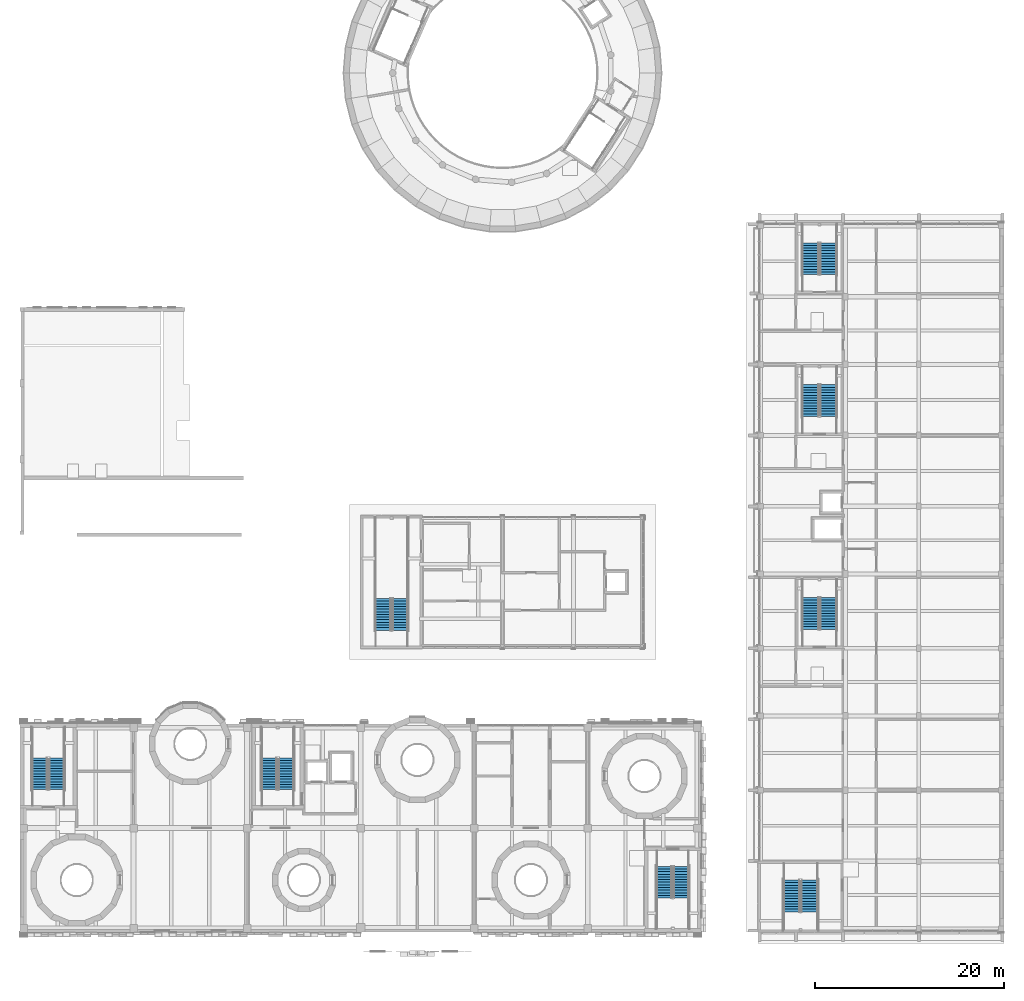
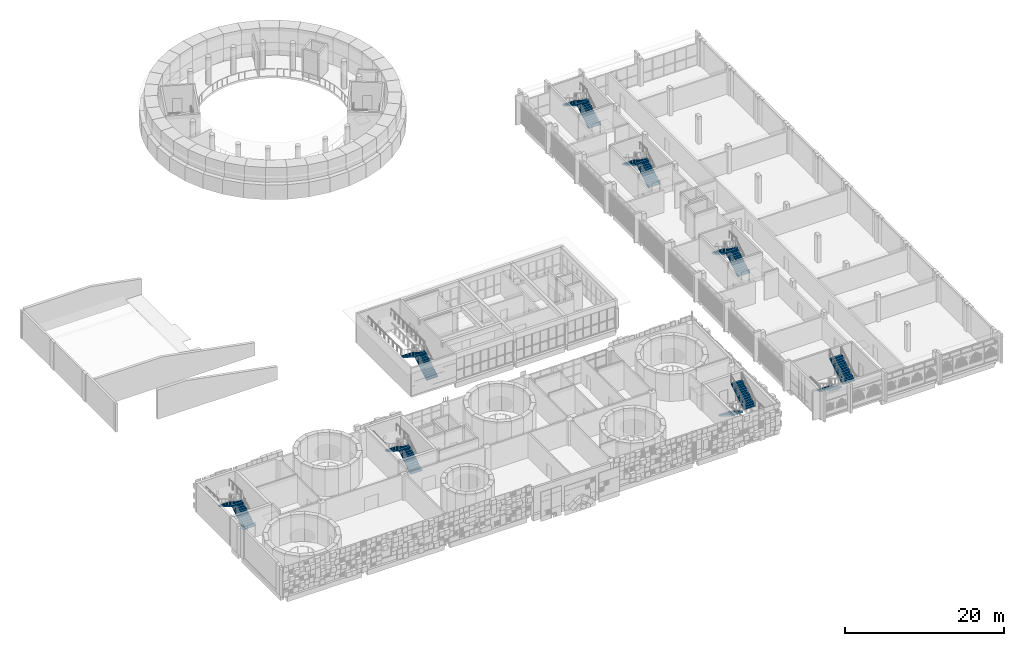
# One storey, part 55 of 92: 16 stair flights, 8 elements without a shape of their own.
"""IFC4 building model written with IfcOpenShell, lengths in metres."""

from ifc_helpers import new_model, si_unit, direction, frame, origin, place, context, subcontext, project, spatial, polyline, outline, extrude, material, type_object, element, aggregate, save


model = new_model("IFC4")

# Units and contexts
model_context = context("Model", 3, precision=1e-05, world=origin(), true_north=direction((0.0, 1.0)))
body_context = subcontext(model_context, "Body", "Model", "MODEL_VIEW")
ifc_project = project(units=[si_unit("LENGTHUNIT", "METRE"), si_unit("AREAUNIT", "SQUARE_METRE"), si_unit("VOLUMEUNIT", "CUBIC_METRE"), si_unit("PLANEANGLEUNIT", "RADIAN"), si_unit("MASSUNIT", "GRAM", prefix="KILO")], contexts=[model_context])

# Site, building, storey
site_placement = place(None, origin())
site = spatial("IfcSite", under=ifc_project, at=site_placement, CompositionType="ELEMENT")
building_placement = place(site_placement, origin())
building = spatial("IfcBuilding", under=site, at=building_placement, Name="Sun Court Science Centre", CompositionType="ELEMENT")
storey_placement = place(building_placement, frame((0.0, 0.0, 11.25)))
storey = spatial("IfcBuildingStorey", under=building, at=storey_placement, Name="L02", CompositionType="ELEMENT", Elevation=11.25)

# Stair, stair flights
ifc_material_1 = material(Name="Concrete C25/30", Category="concrete")
stair_type = type_object("IfcStairType", Name="Stair 1500 enclosed half-turn", PredefinedType="HALF_TURN_STAIR", material=ifc_material_1)
stair_1_placement = place(storey_placement, origin())
stair_1 = element("IfcStair", 1, at=stair_1_placement, inside=storey, type_object=stair_type, Name="L02 Stair SB1", PredefinedType="HALF_TURN_STAIR")
ifc_material_2 = material(Name="Concrete C25/30", Category="concrete")
stair_flight_type = type_object("IfcStairFlightType", Name="Stair flight 1500 with waist", PredefinedType="STRAIGHT", material=ifc_material_2)
stair_flight_1_placement = place(storey_placement, frame((3.89892578125, 21.048095703125, 0.0), z_axis=(0.0, 0.0, 1.0), x_axis=(0.0, 1.0, 0.0)))
stair_flight_1 = element("IfcStairFlight", 2, at=stair_flight_1_placement, type_object=stair_flight_type, Name="SB1 flight 1", NumberOfRisers=13, NumberOfTreads=12, PredefinedType="STRAIGHT", RiserHeight=0.173076923, TreadLength=0.28, context=body_context, shape_type="SweptSolid", body=[
    extrude(outline(polyline([(0.0, 0.0), (0.0, 0.173095703125), (0.280029296875, 0.173095703125), (0.280029296875, 0.34619140625), (0.56005859375, 0.34619140625), (0.56005859375, 0.519287109375), (0.840087890625, 0.519287109375), (0.840087890625, 0.6923828125), (1.1201171875, 0.6923828125), (1.1201171875, 0.865478515625), (1.39990234375, 0.865478515625), (1.39990234375, 1.03857421875), (1.679931640625, 1.03857421875), (1.679931640625, 1.21142578125), (1.9599609375, 1.21142578125), (1.9599609375, 1.384521484375), (2.239990234375, 1.384521484375), (2.239990234375, 1.5576171875), (2.52001953125, 1.5576171875), (2.52001953125, 1.730712890625), (2.800048828125, 1.730712890625), (2.800048828125, 1.90380859375), (3.080078125, 1.90380859375), (3.080078125, 2.076904296875), (3.360107421875, 2.076904296875), (3.360107421875, 2.25), (3.360107421875, 1.900634765625), (0.28515625, 0.0), (0.0, 0.0)])), frame((0.0, 0.823974609375, 0.0), z_axis=(0.0, -1.0, 0.0), x_axis=(1.0, 0.0, 0.0)), (0.0, 0.0, 1.0), 1.64794921875),
])
stair_flight_2_placement = place(storey_placement, frame((2.10107421875, 24.407958984375, 2.25), z_axis=(0.0, 0.0, 1.0), x_axis=(0.0, -1.0, 0.0)))
stair_flight_2 = element("IfcStairFlight", 3, at=stair_flight_2_placement, type_object=stair_flight_type, Name="SB1 flight 2", NumberOfRisers=13, NumberOfTreads=12, PredefinedType="STRAIGHT", RiserHeight=0.173076923, TreadLength=0.28, context=body_context, shape_type="SweptSolid", body=[
    extrude(outline(polyline([(0.0, 0.0), (0.0, 0.173095703125), (0.280029296875, 0.173095703125), (0.280029296875, 0.34619140625), (0.56005859375, 0.34619140625), (0.56005859375, 0.519287109375), (0.840087890625, 0.519287109375), (0.840087890625, 0.6923828125), (1.1201171875, 0.6923828125), (1.1201171875, 0.865478515625), (1.39990234375, 0.865478515625), (1.39990234375, 1.03857421875), (1.679931640625, 1.03857421875), (1.679931640625, 1.21142578125), (1.9599609375, 1.21142578125), (1.9599609375, 1.384521484375), (2.239990234375, 1.384521484375), (2.239990234375, 1.5576171875), (2.52001953125, 1.5576171875), (2.52001953125, 1.730712890625), (2.800048828125, 1.730712890625), (2.800048828125, 1.90380859375), (3.080078125, 1.90380859375), (3.080078125, 2.076904296875), (3.360107421875, 2.076904296875), (3.360107421875, 2.25), (3.360107421875, 1.900634765625), (0.28515625, 0.0), (0.0, 0.0)])), frame((0.0, 0.823974609375, 0.0), z_axis=(0.0, -1.0, 0.0), x_axis=(1.0, 0.0, 0.0)), (0.0, 0.0, 1.0), 1.64794921875),
])
aggregate(stair_1, [stair_flight_1, stair_flight_2])

stair_2_placement = place(storey_placement, origin())
stair_2 = element("IfcStair", 4, at=stair_2_placement, inside=storey, type_object=stair_type, Name="L02 Stair SB2", PredefinedType="HALF_TURN_STAIR")
stair_flight_3_placement = place(storey_placement, frame((28.14892578125, 21.048095703125, 0.0), z_axis=(0.0, 0.0, 1.0), x_axis=(0.0, 1.0, 0.0)))
stair_flight_3 = element("IfcStairFlight", 5, at=stair_flight_3_placement, type_object=stair_flight_type, Name="SB2 flight 1", NumberOfRisers=13, NumberOfTreads=12, PredefinedType="STRAIGHT", RiserHeight=0.173076923, TreadLength=0.28, context=body_context, shape_type="SweptSolid", body=[
    extrude(outline(polyline([(0.0, 0.0), (0.0, 0.173095703125), (0.280029296875, 0.173095703125), (0.280029296875, 0.34619140625), (0.56005859375, 0.34619140625), (0.56005859375, 0.519287109375), (0.840087890625, 0.519287109375), (0.840087890625, 0.6923828125), (1.1201171875, 0.6923828125), (1.1201171875, 0.865478515625), (1.39990234375, 0.865478515625), (1.39990234375, 1.03857421875), (1.679931640625, 1.03857421875), (1.679931640625, 1.21142578125), (1.9599609375, 1.21142578125), (1.9599609375, 1.384521484375), (2.239990234375, 1.384521484375), (2.239990234375, 1.5576171875), (2.52001953125, 1.5576171875), (2.52001953125, 1.730712890625), (2.800048828125, 1.730712890625), (2.800048828125, 1.90380859375), (3.080078125, 1.90380859375), (3.080078125, 2.076904296875), (3.360107421875, 2.076904296875), (3.360107421875, 2.25), (3.360107421875, 1.900634765625), (0.28515625, 0.0), (0.0, 0.0)])), frame((0.0, 0.823974609375, 0.0), z_axis=(0.0, -1.0, 0.0), x_axis=(1.0, 0.0, 0.0)), (0.0, 0.0, 1.0), 1.64794921875),
])
stair_flight_4_placement = place(storey_placement, frame((26.35107421875, 24.407958984375, 2.25), z_axis=(0.0, 0.0, 1.0), x_axis=(0.0, -1.0, 0.0)))
stair_flight_4 = element("IfcStairFlight", 6, at=stair_flight_4_placement, type_object=stair_flight_type, Name="SB2 flight 2", NumberOfRisers=13, NumberOfTreads=12, PredefinedType="STRAIGHT", RiserHeight=0.173076923, TreadLength=0.28, context=body_context, shape_type="SweptSolid", body=[
    extrude(outline(polyline([(0.0, 0.0), (0.0, 0.173095703125), (0.280029296875, 0.173095703125), (0.280029296875, 0.34619140625), (0.56005859375, 0.34619140625), (0.56005859375, 0.519287109375), (0.840087890625, 0.519287109375), (0.840087890625, 0.6923828125), (1.1201171875, 0.6923828125), (1.1201171875, 0.865478515625), (1.39990234375, 0.865478515625), (1.39990234375, 1.03857421875), (1.679931640625, 1.03857421875), (1.679931640625, 1.21142578125), (1.9599609375, 1.21142578125), (1.9599609375, 1.384521484375), (2.239990234375, 1.384521484375), (2.239990234375, 1.5576171875), (2.52001953125, 1.5576171875), (2.52001953125, 1.730712890625), (2.800048828125, 1.730712890625), (2.800048828125, 1.90380859375), (3.080078125, 1.90380859375), (3.080078125, 2.076904296875), (3.360107421875, 2.076904296875), (3.360107421875, 2.25), (3.360107421875, 1.900634765625), (0.28515625, 0.0), (0.0, 0.0)])), frame((0.0, 0.823974609375, 0.0), z_axis=(0.0, -1.0, 0.0), x_axis=(1.0, 0.0, 0.0)), (0.0, 0.0, 1.0), 1.64794921875),
])
aggregate(stair_2, [stair_flight_3, stair_flight_4])

stair_3_placement = place(storey_placement, origin())
stair_3 = element("IfcStair", 7, at=stair_3_placement, inside=storey, type_object=stair_type, Name="L02 Stair SB3", PredefinedType="HALF_TURN_STAIR")
stair_flight_5_placement = place(storey_placement, frame((68.10107421875, 12.951904296875, 0.0), z_axis=(0.0, 0.0, 1.0), x_axis=(0.0, -1.0, 0.0)))
stair_flight_5 = element("IfcStairFlight", 8, at=stair_flight_5_placement, type_object=stair_flight_type, Name="SB3 flight 1", NumberOfRisers=13, NumberOfTreads=12, PredefinedType="STRAIGHT", RiserHeight=0.173076923, TreadLength=0.28, context=body_context, shape_type="SweptSolid", body=[
    extrude(outline(polyline([(0.0, 0.0), (0.0, 0.173095703125), (0.280029296875, 0.173095703125), (0.280029296875, 0.34619140625), (0.56005859375, 0.34619140625), (0.56005859375, 0.519287109375), (0.840087890625, 0.519287109375), (0.840087890625, 0.6923828125), (1.1201171875, 0.6923828125), (1.1201171875, 0.865478515625), (1.39990234375, 0.865478515625), (1.39990234375, 1.03857421875), (1.679931640625, 1.03857421875), (1.679931640625, 1.21142578125), (1.9599609375, 1.21142578125), (1.9599609375, 1.384521484375), (2.239990234375, 1.384521484375), (2.239990234375, 1.5576171875), (2.52001953125, 1.5576171875), (2.52001953125, 1.730712890625), (2.800048828125, 1.730712890625), (2.800048828125, 1.90380859375), (3.080078125, 1.90380859375), (3.080078125, 2.076904296875), (3.360107421875, 2.076904296875), (3.360107421875, 2.25), (3.360107421875, 1.900634765625), (0.28515625, 0.0), (0.0, 0.0)])), frame((0.0, 0.823974609375, 0.0), z_axis=(0.0, -1.0, 0.0), x_axis=(1.0, 0.0, 0.0)), (0.0, 0.0, 1.0), 1.64794921875),
])
stair_flight_6_placement = place(storey_placement, frame((69.89892578125, 9.592041015625, 2.25), z_axis=(0.0, 0.0, 1.0), x_axis=(0.0, 1.0, 0.0)))
stair_flight_6 = element("IfcStairFlight", 9, at=stair_flight_6_placement, type_object=stair_flight_type, Name="SB3 flight 2", NumberOfRisers=13, NumberOfTreads=12, PredefinedType="STRAIGHT", RiserHeight=0.173076923, TreadLength=0.28, context=body_context, shape_type="SweptSolid", body=[
    extrude(outline(polyline([(0.0, 0.0), (0.0, 0.173095703125), (0.280029296875, 0.173095703125), (0.280029296875, 0.34619140625), (0.56005859375, 0.34619140625), (0.56005859375, 0.519287109375), (0.840087890625, 0.519287109375), (0.840087890625, 0.6923828125), (1.1201171875, 0.6923828125), (1.1201171875, 0.865478515625), (1.39990234375, 0.865478515625), (1.39990234375, 1.03857421875), (1.679931640625, 1.03857421875), (1.679931640625, 1.21142578125), (1.9599609375, 1.21142578125), (1.9599609375, 1.384521484375), (2.239990234375, 1.384521484375), (2.239990234375, 1.5576171875), (2.52001953125, 1.5576171875), (2.52001953125, 1.730712890625), (2.800048828125, 1.730712890625), (2.800048828125, 1.90380859375), (3.080078125, 1.90380859375), (3.080078125, 2.076904296875), (3.360107421875, 2.076904296875), (3.360107421875, 2.25), (3.360107421875, 1.900634765625), (0.28515625, 0.0), (0.0, 0.0)])), frame((0.0, 0.823974609375, 0.0), z_axis=(0.0, -1.0, 0.0), x_axis=(1.0, 0.0, 0.0)), (0.0, 0.0, 1.0), 1.64794921875),
])
aggregate(stair_3, [stair_flight_5, stair_flight_6])

stair_4_placement = place(storey_placement, origin())
stair_4 = element("IfcStair", 10, at=stair_4_placement, inside=storey, type_object=stair_type, Name="L02 Stair SL1", PredefinedType="HALF_TURN_STAIR")
stair_flight_7_placement = place(storey_placement, frame((81.551025390625, 11.501953125, 0.0), z_axis=(0.0, 0.0, 1.0), x_axis=(0.0, -1.0, 0.0)))
stair_flight_7 = element("IfcStairFlight", 11, at=stair_flight_7_placement, type_object=stair_flight_type, Name="SL1 flight 1", NumberOfRisers=13, NumberOfTreads=12, PredefinedType="STRAIGHT", RiserHeight=0.173076923, TreadLength=0.28, context=body_context, shape_type="SweptSolid", body=[
    extrude(outline(polyline([(0.0, 0.0), (0.0, 0.173095703125), (0.280029296875, 0.173095703125), (0.280029296875, 0.34619140625), (0.56005859375, 0.34619140625), (0.56005859375, 0.519287109375), (0.840087890625, 0.519287109375), (0.840087890625, 0.6923828125), (1.1201171875, 0.6923828125), (1.1201171875, 0.865478515625), (1.39990234375, 0.865478515625), (1.39990234375, 1.03857421875), (1.679931640625, 1.03857421875), (1.679931640625, 1.21142578125), (1.9599609375, 1.21142578125), (1.9599609375, 1.384521484375), (2.239990234375, 1.384521484375), (2.239990234375, 1.5576171875), (2.52001953125, 1.5576171875), (2.52001953125, 1.730712890625), (2.800048828125, 1.730712890625), (2.800048828125, 1.90380859375), (3.080078125, 1.90380859375), (3.080078125, 2.076904296875), (3.360107421875, 2.076904296875), (3.360107421875, 2.25), (3.360107421875, 1.900634765625), (0.28515625, 0.0), (0.0, 0.0)])), frame((0.0, 0.8740234375, 0.0), z_axis=(0.0, -1.0, 0.0), x_axis=(1.0, 0.0, 0.0)), (0.0, 0.0, 1.0), 1.748046875),
])
stair_flight_8_placement = place(storey_placement, frame((83.448974609375, 8.14208984375, 2.25), z_axis=(0.0, 0.0, 1.0), x_axis=(0.0, 1.0, 0.0)))
stair_flight_8 = element("IfcStairFlight", 12, at=stair_flight_8_placement, type_object=stair_flight_type, Name="SL1 flight 2", NumberOfRisers=13, NumberOfTreads=12, PredefinedType="STRAIGHT", RiserHeight=0.173076923, TreadLength=0.28, context=body_context, shape_type="SweptSolid", body=[
    extrude(outline(polyline([(0.0, 0.0), (0.0, 0.173095703125), (0.280029296875, 0.173095703125), (0.280029296875, 0.34619140625), (0.56005859375, 0.34619140625), (0.56005859375, 0.519287109375), (0.840087890625, 0.519287109375), (0.840087890625, 0.6923828125), (1.1201171875, 0.6923828125), (1.1201171875, 0.865478515625), (1.39990234375, 0.865478515625), (1.39990234375, 1.03857421875), (1.679931640625, 1.03857421875), (1.679931640625, 1.21142578125), (1.9599609375, 1.21142578125), (1.9599609375, 1.384521484375), (2.239990234375, 1.384521484375), (2.239990234375, 1.5576171875), (2.52001953125, 1.5576171875), (2.52001953125, 1.730712890625), (2.800048828125, 1.730712890625), (2.800048828125, 1.90380859375), (3.080078125, 1.90380859375), (3.080078125, 2.076904296875), (3.360107421875, 2.076904296875), (3.360107421875, 2.25), (3.360107421875, 1.900634765625), (0.28515625, 0.0), (0.0, 0.0)])), frame((0.0, 0.8740234375, 0.0), z_axis=(0.0, -1.0, 0.0), x_axis=(1.0, 0.0, 0.0)), (0.0, 0.0, 1.0), 1.748046875),
])
aggregate(stair_4, [stair_flight_7, stair_flight_8])

stair_5_placement = place(storey_placement, origin())
stair_5 = element("IfcStair", 13, at=stair_5_placement, inside=storey, type_object=stair_type, Name="L02 Stair SL2", PredefinedType="HALF_TURN_STAIR")
stair_flight_9_placement = place(storey_placement, frame((85.448974609375, 37.998046875, 0.0), z_axis=(0.0, 0.0, 1.0), x_axis=(0.0, 1.0, 0.0)))
stair_flight_9 = element("IfcStairFlight", 14, at=stair_flight_9_placement, type_object=stair_flight_type, Name="SL2 flight 1", NumberOfRisers=13, NumberOfTreads=12, PredefinedType="STRAIGHT", RiserHeight=0.173076923, TreadLength=0.28, context=body_context, shape_type="SweptSolid", body=[
    extrude(outline(polyline([(0.0, 0.0), (0.0, 0.173095703125), (0.280029296875, 0.173095703125), (0.280029296875, 0.34619140625), (0.56005859375, 0.34619140625), (0.56005859375, 0.519287109375), (0.840087890625, 0.519287109375), (0.840087890625, 0.6923828125), (1.1201171875, 0.6923828125), (1.1201171875, 0.865478515625), (1.39990234375, 0.865478515625), (1.39990234375, 1.03857421875), (1.679931640625, 1.03857421875), (1.679931640625, 1.21142578125), (1.9599609375, 1.21142578125), (1.9599609375, 1.384521484375), (2.239990234375, 1.384521484375), (2.239990234375, 1.5576171875), (2.52001953125, 1.5576171875), (2.52001953125, 1.730712890625), (2.800048828125, 1.730712890625), (2.800048828125, 1.90380859375), (3.080078125, 1.90380859375), (3.080078125, 2.076904296875), (3.360107421875, 2.076904296875), (3.360107421875, 2.25), (3.360107421875, 1.900634765625), (0.28515625, 0.0), (0.0, 0.0)])), frame((0.0, 0.8740234375, 0.0), z_axis=(0.0, -1.0, 0.0), x_axis=(1.0, 0.0, 0.0)), (0.0, 0.0, 1.0), 1.748046875),
])
stair_flight_10_placement = place(storey_placement, frame((83.551025390625, 41.35791015625, 2.25), z_axis=(0.0, 0.0, 1.0), x_axis=(0.0, -1.0, 0.0)))
stair_flight_10 = element("IfcStairFlight", 15, at=stair_flight_10_placement, type_object=stair_flight_type, Name="SL2 flight 2", NumberOfRisers=13, NumberOfTreads=12, PredefinedType="STRAIGHT", RiserHeight=0.173076923, TreadLength=0.28, context=body_context, shape_type="SweptSolid", body=[
    extrude(outline(polyline([(0.0, 0.0), (0.0, 0.173095703125), (0.280029296875, 0.173095703125), (0.280029296875, 0.34619140625), (0.56005859375, 0.34619140625), (0.56005859375, 0.519287109375), (0.840087890625, 0.519287109375), (0.840087890625, 0.6923828125), (1.1201171875, 0.6923828125), (1.1201171875, 0.865478515625), (1.39990234375, 0.865478515625), (1.39990234375, 1.03857421875), (1.679931640625, 1.03857421875), (1.679931640625, 1.21142578125), (1.9599609375, 1.21142578125), (1.9599609375, 1.384521484375), (2.239990234375, 1.384521484375), (2.239990234375, 1.5576171875), (2.52001953125, 1.5576171875), (2.52001953125, 1.730712890625), (2.800048828125, 1.730712890625), (2.800048828125, 1.90380859375), (3.080078125, 1.90380859375), (3.080078125, 2.076904296875), (3.360107421875, 2.076904296875), (3.360107421875, 2.25), (3.360107421875, 1.900634765625), (0.28515625, 0.0), (0.0, 0.0)])), frame((0.0, 0.8740234375, 0.0), z_axis=(0.0, -1.0, 0.0), x_axis=(1.0, 0.0, 0.0)), (0.0, 0.0, 1.0), 1.748046875),
])
aggregate(stair_5, [stair_flight_9, stair_flight_10])

stair_6_placement = place(storey_placement, origin())
stair_6 = element("IfcStair", 16, at=stair_6_placement, inside=storey, type_object=stair_type, Name="L02 Stair SL3", PredefinedType="HALF_TURN_STAIR")
stair_flight_11_placement = place(storey_placement, frame((85.448974609375, 60.498046875, 0.0), z_axis=(0.0, 0.0, 1.0), x_axis=(0.0, 1.0, 0.0)))
stair_flight_11 = element("IfcStairFlight", 17, at=stair_flight_11_placement, type_object=stair_flight_type, Name="SL3 flight 1", NumberOfRisers=13, NumberOfTreads=12, PredefinedType="STRAIGHT", RiserHeight=0.173076923, TreadLength=0.28, context=body_context, shape_type="SweptSolid", body=[
    extrude(outline(polyline([(0.0, 0.0), (0.0, 0.173095703125), (0.280029296875, 0.173095703125), (0.280029296875, 0.34619140625), (0.56005859375, 0.34619140625), (0.56005859375, 0.519287109375), (0.840087890625, 0.519287109375), (0.840087890625, 0.6923828125), (1.1201171875, 0.6923828125), (1.1201171875, 0.865478515625), (1.39990234375, 0.865478515625), (1.39990234375, 1.03857421875), (1.679931640625, 1.03857421875), (1.679931640625, 1.21142578125), (1.9599609375, 1.21142578125), (1.9599609375, 1.384521484375), (2.239990234375, 1.384521484375), (2.239990234375, 1.5576171875), (2.52001953125, 1.5576171875), (2.52001953125, 1.730712890625), (2.800048828125, 1.730712890625), (2.800048828125, 1.90380859375), (3.080078125, 1.90380859375), (3.080078125, 2.076904296875), (3.360107421875, 2.076904296875), (3.360107421875, 2.25), (3.360107421875, 1.900634765625), (0.28515625, 0.0), (0.0, 0.0)])), frame((0.0, 0.8740234375, 0.0), z_axis=(0.0, -1.0, 0.0), x_axis=(1.0, 0.0, 0.0)), (0.0, 0.0, 1.0), 1.748046875),
])
stair_flight_12_placement = place(storey_placement, frame((83.551025390625, 63.85791015625, 2.25), z_axis=(0.0, 0.0, 1.0), x_axis=(0.0, -1.0, 0.0)))
stair_flight_12 = element("IfcStairFlight", 18, at=stair_flight_12_placement, type_object=stair_flight_type, Name="SL3 flight 2", NumberOfRisers=13, NumberOfTreads=12, PredefinedType="STRAIGHT", RiserHeight=0.173076923, TreadLength=0.28, context=body_context, shape_type="SweptSolid", body=[
    extrude(outline(polyline([(0.0, 0.0), (0.0, 0.173095703125), (0.280029296875, 0.173095703125), (0.280029296875, 0.34619140625), (0.56005859375, 0.34619140625), (0.56005859375, 0.519287109375), (0.840087890625, 0.519287109375), (0.840087890625, 0.6923828125), (1.1201171875, 0.6923828125), (1.1201171875, 0.865478515625), (1.39990234375, 0.865478515625), (1.39990234375, 1.03857421875), (1.679931640625, 1.03857421875), (1.679931640625, 1.21142578125), (1.9599609375, 1.21142578125), (1.9599609375, 1.384521484375), (2.239990234375, 1.384521484375), (2.239990234375, 1.5576171875), (2.52001953125, 1.5576171875), (2.52001953125, 1.730712890625), (2.800048828125, 1.730712890625), (2.800048828125, 1.90380859375), (3.080078125, 1.90380859375), (3.080078125, 2.076904296875), (3.360107421875, 2.076904296875), (3.360107421875, 2.25), (3.360107421875, 1.900634765625), (0.28515625, 0.0), (0.0, 0.0)])), frame((0.0, 0.8740234375, 0.0), z_axis=(0.0, -1.0, 0.0), x_axis=(1.0, 0.0, 0.0)), (0.0, 0.0, 1.0), 1.748046875),
])
aggregate(stair_6, [stair_flight_11, stair_flight_12])

stair_7_placement = place(storey_placement, origin())
stair_7 = element("IfcStair", 19, at=stair_7_placement, inside=storey, type_object=stair_type, Name="L02 Stair SL4", PredefinedType="HALF_TURN_STAIR")
stair_flight_13_placement = place(storey_placement, frame((85.448974609375, 75.498046875, 0.0), z_axis=(0.0, 0.0, 1.0), x_axis=(0.0, 1.0, 0.0)))
stair_flight_13 = element("IfcStairFlight", 20, at=stair_flight_13_placement, type_object=stair_flight_type, Name="SL4 flight 1", NumberOfRisers=13, NumberOfTreads=12, PredefinedType="STRAIGHT", RiserHeight=0.173076923, TreadLength=0.28, context=body_context, shape_type="SweptSolid", body=[
    extrude(outline(polyline([(0.0, 0.0), (0.0, 0.173095703125), (0.280029296875, 0.173095703125), (0.280029296875, 0.34619140625), (0.56005859375, 0.34619140625), (0.56005859375, 0.519287109375), (0.840087890625, 0.519287109375), (0.840087890625, 0.6923828125), (1.1201171875, 0.6923828125), (1.1201171875, 0.865478515625), (1.39990234375, 0.865478515625), (1.39990234375, 1.03857421875), (1.679931640625, 1.03857421875), (1.679931640625, 1.21142578125), (1.9599609375, 1.21142578125), (1.9599609375, 1.384521484375), (2.239990234375, 1.384521484375), (2.239990234375, 1.5576171875), (2.52001953125, 1.5576171875), (2.52001953125, 1.730712890625), (2.800048828125, 1.730712890625), (2.800048828125, 1.90380859375), (3.080078125, 1.90380859375), (3.080078125, 2.076904296875), (3.360107421875, 2.076904296875), (3.360107421875, 2.25), (3.360107421875, 1.900634765625), (0.28515625, 0.0), (0.0, 0.0)])), frame((0.0, 0.8740234375, 0.0), z_axis=(0.0, -1.0, 0.0), x_axis=(1.0, 0.0, 0.0)), (0.0, 0.0, 1.0), 1.748046875),
])
stair_flight_14_placement = place(storey_placement, frame((83.551025390625, 78.85791015625, 2.25), z_axis=(0.0, 0.0, 1.0), x_axis=(0.0, -1.0, 0.0)))
stair_flight_14 = element("IfcStairFlight", 21, at=stair_flight_14_placement, type_object=stair_flight_type, Name="SL4 flight 2", NumberOfRisers=13, NumberOfTreads=12, PredefinedType="STRAIGHT", RiserHeight=0.173076923, TreadLength=0.28, context=body_context, shape_type="SweptSolid", body=[
    extrude(outline(polyline([(0.0, 0.0), (0.0, 0.173095703125), (0.280029296875, 0.173095703125), (0.280029296875, 0.34619140625), (0.56005859375, 0.34619140625), (0.56005859375, 0.519287109375), (0.840087890625, 0.519287109375), (0.840087890625, 0.6923828125), (1.1201171875, 0.6923828125), (1.1201171875, 0.865478515625), (1.39990234375, 0.865478515625), (1.39990234375, 1.03857421875), (1.679931640625, 1.03857421875), (1.679931640625, 1.21142578125), (1.9599609375, 1.21142578125), (1.9599609375, 1.384521484375), (2.239990234375, 1.384521484375), (2.239990234375, 1.5576171875), (2.52001953125, 1.5576171875), (2.52001953125, 1.730712890625), (2.800048828125, 1.730712890625), (2.800048828125, 1.90380859375), (3.080078125, 1.90380859375), (3.080078125, 2.076904296875), (3.360107421875, 2.076904296875), (3.360107421875, 2.25), (3.360107421875, 1.900634765625), (0.28515625, 0.0), (0.0, 0.0)])), frame((0.0, 0.8740234375, 0.0), z_axis=(0.0, -1.0, 0.0), x_axis=(1.0, 0.0, 0.0)), (0.0, 0.0, 1.0), 1.748046875),
])
aggregate(stair_7, [stair_flight_13, stair_flight_14])

stair_8_placement = place(storey_placement, origin())
stair_8 = element("IfcStair", 22, at=stair_8_placement, inside=storey, type_object=stair_type, Name="L02 Stair SP1", PredefinedType="HALF_TURN_STAIR")
stair_flight_15_placement = place(storey_placement, frame((40.174072265625, 37.89794921875, 0.0), z_axis=(0.0, 0.0, 1.0), x_axis=(0.0, 1.0, 0.0)))
stair_flight_15 = element("IfcStairFlight", 23, at=stair_flight_15_placement, type_object=stair_flight_type, Name="SP1 flight 1", NumberOfRisers=13, NumberOfTreads=12, PredefinedType="STRAIGHT", RiserHeight=0.173076923, TreadLength=0.28, context=body_context, shape_type="SweptSolid", body=[
    extrude(outline(polyline([(0.0, 0.0), (0.0, 0.173095703125), (0.280029296875, 0.173095703125), (0.280029296875, 0.34619140625), (0.56005859375, 0.34619140625), (0.56005859375, 0.519287109375), (0.840087890625, 0.519287109375), (0.840087890625, 0.6923828125), (1.1201171875, 0.6923828125), (1.1201171875, 0.865478515625), (1.39990234375, 0.865478515625), (1.39990234375, 1.03857421875), (1.679931640625, 1.03857421875), (1.679931640625, 1.21142578125), (1.9599609375, 1.21142578125), (1.9599609375, 1.384521484375), (2.239990234375, 1.384521484375), (2.239990234375, 1.5576171875), (2.52001953125, 1.5576171875), (2.52001953125, 1.730712890625), (2.800048828125, 1.730712890625), (2.800048828125, 1.90380859375), (3.080078125, 1.90380859375), (3.080078125, 2.076904296875), (3.360107421875, 2.076904296875), (3.360107421875, 2.25), (3.360107421875, 1.900634765625), (0.28515625, 0.0), (0.0, 0.0)])), frame((0.0, 0.823974609375, 0.0), z_axis=(0.0, -1.0, 0.0), x_axis=(1.0, 0.0, 0.0)), (0.0, 0.0, 1.0), 1.64794921875),
])
stair_flight_16_placement = place(storey_placement, frame((38.3759765625, 41.258056640625, 2.25), z_axis=(0.0, 0.0, 1.0), x_axis=(0.0, -1.0, 0.0)))
stair_flight_16 = element("IfcStairFlight", 24, at=stair_flight_16_placement, type_object=stair_flight_type, Name="SP1 flight 2", NumberOfRisers=13, NumberOfTreads=12, PredefinedType="STRAIGHT", RiserHeight=0.173076923, TreadLength=0.28, context=body_context, shape_type="SweptSolid", body=[
    extrude(outline(polyline([(0.0, 0.0), (0.0, 0.173095703125), (0.280029296875, 0.173095703125), (0.280029296875, 0.34619140625), (0.56005859375, 0.34619140625), (0.56005859375, 0.519287109375), (0.840087890625, 0.519287109375), (0.840087890625, 0.6923828125), (1.1201171875, 0.6923828125), (1.1201171875, 0.865478515625), (1.39990234375, 0.865478515625), (1.39990234375, 1.03857421875), (1.679931640625, 1.03857421875), (1.679931640625, 1.21142578125), (1.9599609375, 1.21142578125), (1.9599609375, 1.384521484375), (2.239990234375, 1.384521484375), (2.239990234375, 1.5576171875), (2.52001953125, 1.5576171875), (2.52001953125, 1.730712890625), (2.800048828125, 1.730712890625), (2.800048828125, 1.90380859375), (3.080078125, 1.90380859375), (3.080078125, 2.076904296875), (3.360107421875, 2.076904296875), (3.360107421875, 2.25), (3.360107421875, 1.900634765625), (0.28515625, 0.0), (0.0, 0.0)])), frame((0.0, 0.823974609375, 0.0), z_axis=(0.0, -1.0, 0.0), x_axis=(1.0, 0.0, 0.0)), (0.0, 0.0, 1.0), 1.64794921875),
])
aggregate(stair_8, [stair_flight_15, stair_flight_16])

save(model, "model.ifc")
